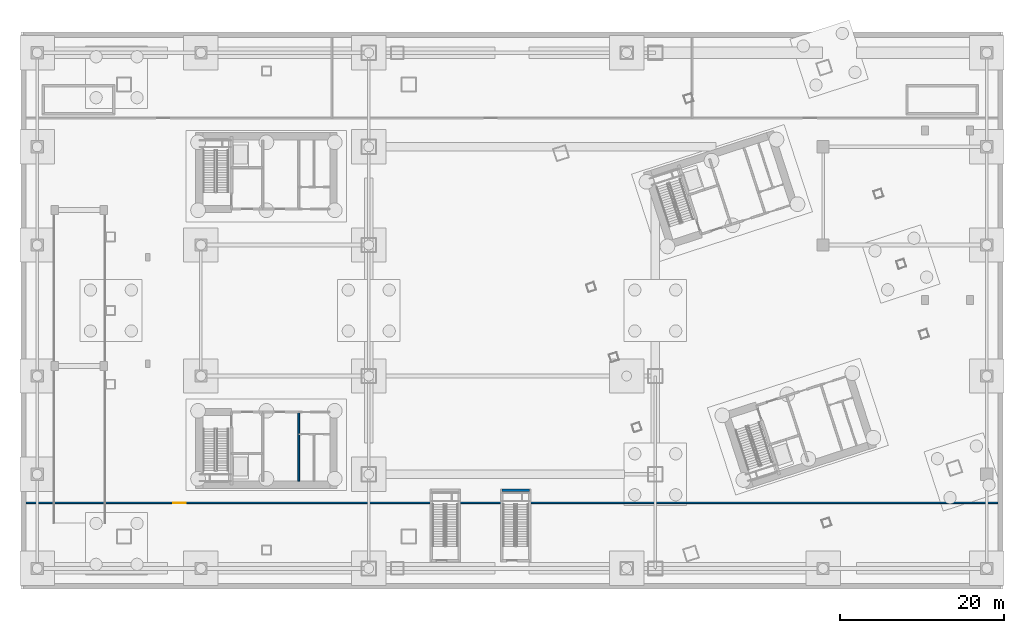
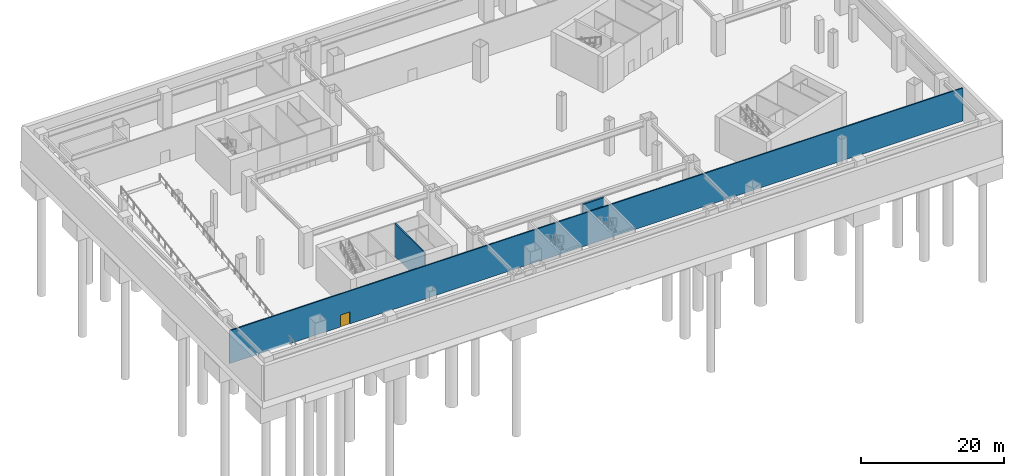
# One storey, part 9 of 20: 3 walls, 1 door, 1 opening.
"""IFC4 building model written with IfcOpenShell, lengths in metres."""

from ifc_helpers import new_model, si_unit, direction, frame, frame_2d, origin, place, context, subcontext, project, spatial, rectangle, extrude, material, layer, layer_set, type_object, element, fill, save


model = new_model("IFC4")

# Units and contexts
model_context = context("Model", 3, precision=1e-05, world=origin(), true_north=direction((0.0, 1.0)))
body_context = subcontext(model_context, "Body", "Model", "MODEL_VIEW")
ifc_project = project(units=[si_unit("LENGTHUNIT", "METRE"), si_unit("AREAUNIT", "SQUARE_METRE"), si_unit("VOLUMEUNIT", "CUBIC_METRE"), si_unit("PLANEANGLEUNIT", "RADIAN"), si_unit("MASSUNIT", "GRAM", prefix="KILO")], contexts=[model_context])

# Site, building, storey
site_placement = place(None, origin())
site = spatial("IfcSite", under=ifc_project, at=site_placement, CompositionType="ELEMENT")
building_placement = place(site_placement, origin())
building = spatial("IfcBuilding", under=site, at=building_placement, Name="Qiaolan Cultural Towers", CompositionType="ELEMENT")
storey_placement = place(building_placement, frame((0.0, 0.0, -12.0)))
storey = spatial("IfcBuildingStorey", under=building, at=storey_placement, Name="B2", CompositionType="ELEMENT", Elevation=-12.0)

# Walls
ifc_material_1 = material(Name="Concrete C50", Category="concrete")
ifc_layer_1 = layer(ifc_material_1, 0.35009765625)
ifc_layer_set_1 = layer_set([ifc_layer_1], Name="Concrete C50")
wall_type_1 = type_object("IfcWallType", Name="WL-CORE-350", PredefinedType="SHEAR", material=ifc_layer_set_1)
wall_1_placement = place(storey_placement, frame((58.75, 12.050048828125, 0.0), z_axis=(0.0, 0.0, 1.0), x_axis=(1.0, 0.0, 0.0)))
element("IfcWall", 1, at=wall_1_placement, inside=storey, type_object=wall_type_1, Name="B2 STM2 Stair Shaft Wall N", PredefinedType="SHEAR", context=body_context, shape_type="SweptSolid", body=[
    extrude(rectangle(XDim=3.39990234375, YDim=0.300048828125, at=frame_2d((1.699951171875, 0.0))), origin(), (0.0, 0.0, 1.0), 6.0),
])
ifc_material_2 = material(Name="Concrete C35 Fire Wall", Category="concrete")
ifc_layer_2 = layer(ifc_material_2, 0.199951171875)
ifc_layer_set_2 = layer_set([ifc_layer_2], Name="Concrete C35 Fire Wall")
wall_type_2 = type_object("IfcWallType", Name="WL-FIRE-200", PredefinedType="PARTITIONING", material=ifc_layer_set_2)
wall_2_placement = place(storey_placement, frame((33.949951171875, 21.60009765625, 0.0), z_axis=(0.0, 0.0, 1.0), x_axis=(0.0, -1.0, 0.0)))
element("IfcWall", 2, at=wall_2_placement, inside=storey, type_object=wall_type_2, Name="B2 T1-CS Lift Core East Wall", PredefinedType="PARTITIONING", context=body_context, shape_type="SweptSolid", body=[
    extrude(rectangle(XDim=8.43017578125, YDim=0.199951171875, at=frame_2d((4.215087890625, 0.0))), origin(), (0.0, 0.0, 1.0), 5.635009765625),
])

# Wall, opening, door
wall_3_placement = place(storey_placement, frame((0.64990234375, 10.5, 0.0), z_axis=(0.0, 0.0, 1.0), x_axis=(1.0, 0.0, 0.0)))
wall_3 = element("IfcWall", 3, at=wall_3_placement, inside=storey, type_object=wall_type_2, Name="B2 Podium Partition B2-SPLT", PredefinedType="PARTITIONING", context=body_context, shape_type="SweptSolid", body=[
    extrude(rectangle(XDim=118.7001953125, YDim=0.199951171875, at=frame_2d((59.35009765625, 0.0))), origin(), (0.0, 0.0, 1.0), 5.635009765625),
])
opening_placement = place(wall_3_placement, frame((18.0, 0.0, 0.0)))
opening = element("IfcOpeningElement", 4, at=opening_placement, cuts=wall_3, Name="Opening FD-02", PredefinedType="OPENING", context=body_context, shape_type="SweptSolid", body=[
    extrude(rectangle(XDim=1.5, YDim=2.050048828125, at=frame_2d((0.75, 1.02490234375))), frame((0.0, 0.10986328125, 0.0), z_axis=(0.0, -1.0, 0.0), x_axis=(1.0, 0.0, 0.0)), (0.0, 0.0, 1.0), 0.219970703125),
])
ifc_material_3 = material(Name="Galvanized Steel Double Fire Door", Category="steel")
door_type = type_object("IfcDoorType", Name="DR-FD90-1500", OperationType="NOTDEFINED", PredefinedType="DOOR", material=ifc_material_3)
door_placement = place(opening_placement, origin())
door = element("IfcDoor", 5, at=door_placement, inside=storey, type_object=door_type, Name="B2 Standby Diesel Generator Hall Door", OperationType="SINGLE_SWING_LEFT", OverallHeight=2.050048828125, OverallWidth=1.5, PredefinedType="DOOR", context=body_context, shape_type="SweptSolid", body=[
    extrude(rectangle(XDim=1.5, YDim=2.050048828125, at=frame_2d((0.75, 1.02490234375))), frame((0.0, 0.02490234375, 0.0), z_axis=(0.0, -1.0, 0.0), x_axis=(1.0, 0.0, 0.0)), (0.0, 0.0, 1.0), 0.050048828125),
])
fill(opening, door)

save(model, "model.ifc")
